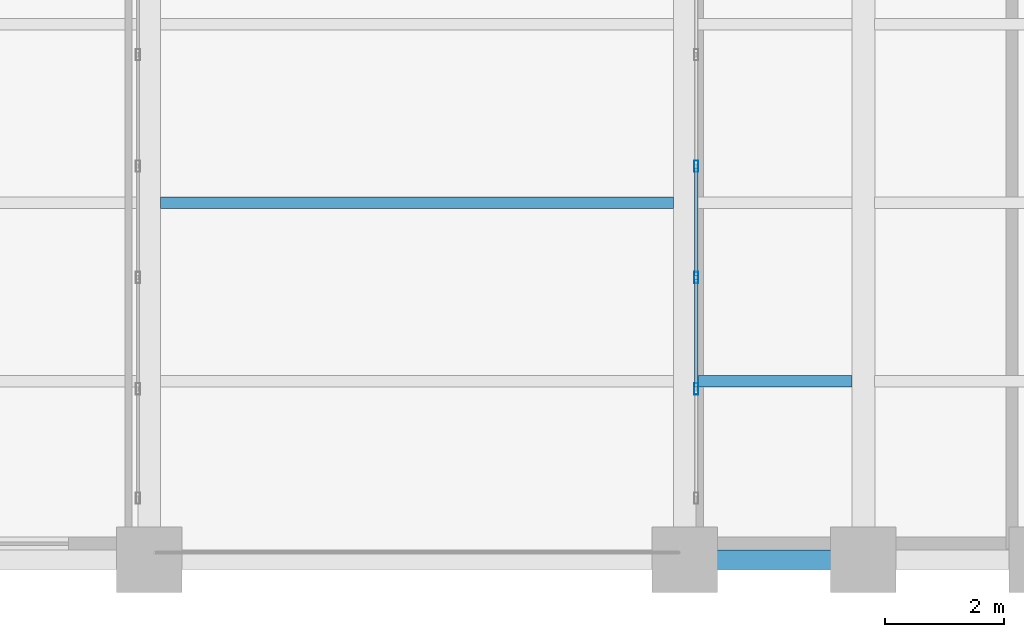
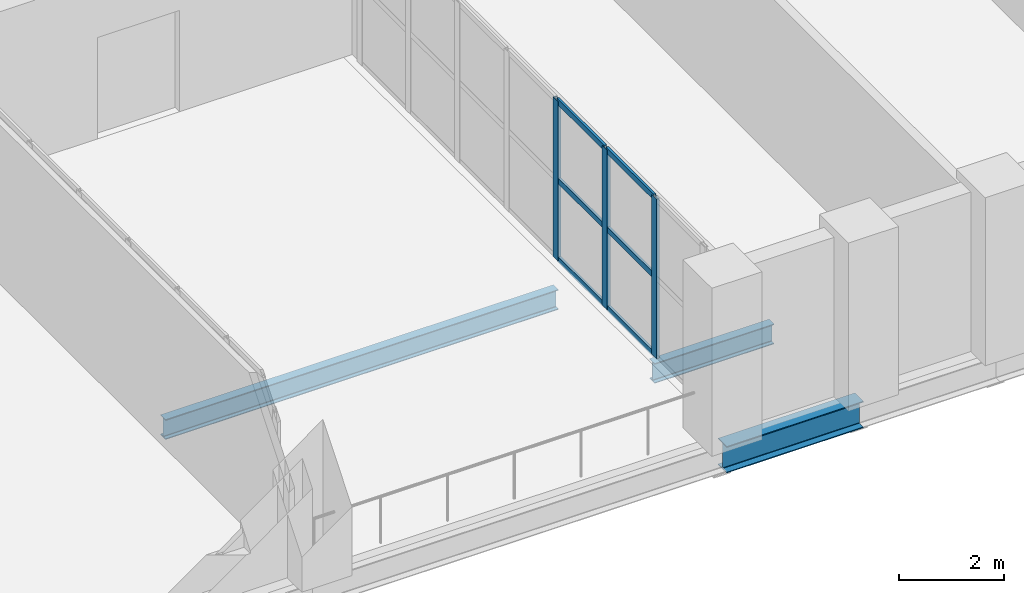
# One storey, part 3 of 12: 9 members, 3 beams, 1 element without a shape of its own.
"""IFC4 building model written with IfcOpenShell, lengths in metres."""

import ifcopenshell
import ifcopenshell.guid

model = None  # the IFC model being written
_history = None  # IfcOwnerHistory: only IFC2X3 demands one
_inside = {}  # id of a spatial element -> (the spatial element, [elements in it])
_under = {}  # id of a project, library or spatial element -> (it, [spatial elements below it])
_declared = {}  # id of a project -> (the project, [libraries it declares])
_typed = {}  # id of a type object -> (the type object, [elements of that type])
_made_of = {}  # id of a material, layer set ... -> (it, [elements and type objects made of it])


def new_model(schema):
    """Start an empty IFC model of exactly this schema.

    Asked for "IFC4X3", IfcOpenShell would pick the latest addendum, in which some entities
    have other attributes; the version numbers below select the first issue.
    IFC2X3 requires an IfcOwnerHistory on every rooted entity: one is made here for all.
    """
    global model, _history
    if schema == "IFC4X3":
        model = ifcopenshell.file(schema_version=(4, 3, 0, 0))
    else:
        model = ifcopenshell.file(schema=schema)
    _inside.clear()
    _under.clear()
    _declared.clear()
    _typed.clear()
    _made_of.clear()
    _history = None
    if model.schema == "IFC2X3":
        org = make("IfcOrganization", Name="unknown")
        user = make(
            "IfcPersonAndOrganization",
            ThePerson=make("IfcPerson", FamilyName="unknown"),
            TheOrganization=org,
        )
        app = make(
            "IfcApplication",
            ApplicationDeveloper=org,
            Version="unknown",
            ApplicationFullName="unknown",
            ApplicationIdentifier="unknown",
        )
        _history = make(
            "IfcOwnerHistory",
            OwningUser=user,
            OwningApplication=app,
            ChangeAction="ADDED",
            CreationDate=0,
        )
    return model


def make(cls, **values):
    """One entity of the class cls with the attributes given. An attribute that is None is left unset."""
    return model.create_entity(
        cls, **{name: value for name, value in values.items() if value is not None}
    )


def rooted(cls, **values):
    """An entity with a GlobalId (a new one), such as an element, a storey or a relation."""
    return make(cls, GlobalId=ifcopenshell.guid.new(), OwnerHistory=_history, **values)


def si_unit(unit_type, name, prefix=None):
    """IfcSIUnit, for example si_unit("LENGTHUNIT", "METRE", prefix="MILLI")."""
    return make("IfcSIUnit", UnitType=unit_type, Prefix=prefix, Name=name)


def assignment(units):
    """IfcUnitAssignment: the units of a project."""
    return None if units is None else make("IfcUnitAssignment", Units=units)


def point(xyz):
    """IfcCartesianPoint."""
    return None if xyz is None else make("IfcCartesianPoint", Coordinates=xyz)


def direction(xyz):
    """IfcDirection."""
    return None if xyz is None else make("IfcDirection", DirectionRatios=xyz)


def frame(location, z_axis=None, x_axis=None):
    """IfcAxis2Placement3D, a coordinate frame: its origin and axes. An axis left out is left unset."""
    return make(
        "IfcAxis2Placement3D",
        Location=point(location),
        Axis=direction(z_axis),
        RefDirection=direction(x_axis),
    )


def frame_2d(location, x_axis=None):
    """IfcAxis2Placement2D, a coordinate frame in the plane: its origin and x axis."""
    return make(
        "IfcAxis2Placement2D", Location=point(location), RefDirection=direction(x_axis)
    )


def origin():
    """The frame at (0, 0, 0) with its axes left unset."""
    return frame((0.0, 0.0, 0.0))


def origin_2d():
    """The frame at (0, 0) in the plane with its x axis left unset."""
    return frame_2d((0.0, 0.0))


def place(relative_to, where):
    """IfcLocalPlacement: puts the frame where relative to a parent placement (None: the world)."""
    return make(
        "IfcLocalPlacement", PlacementRelTo=relative_to, RelativePlacement=where
    )


def context(
    kind, dimensions, precision=None, world=None, true_north=None, identifier=None
):
    """IfcGeometricRepresentationContext, for example the 3D "Model" context."""
    return make(
        "IfcGeometricRepresentationContext",
        ContextIdentifier=identifier,
        ContextType=kind,
        CoordinateSpaceDimension=dimensions,
        Precision=precision,
        WorldCoordinateSystem=world,
        TrueNorth=true_north,
    )


def subcontext(parent, identifier, kind, view, scale=None):
    """IfcGeometricRepresentationSubContext, for example "Body" below "Model"."""
    return make(
        "IfcGeometricRepresentationSubContext",
        ContextIdentifier=identifier,
        ContextType=kind,
        ParentContext=parent,
        TargetScale=scale,
        TargetView=view,
    )


def project(units=None, contexts=None):
    """IfcProject with its units and contexts."""
    return rooted(
        "IfcProject",
        Name="project",
        RepresentationContexts=contexts,
        UnitsInContext=assignment(units),
    )


def spatial(cls, under=None, at=None, **own):
    """A site, building, storey or space (cls), placed at a placement, below another one or the project."""
    s = rooted(cls, ObjectPlacement=at, **own)
    if under is not None:
        _under.setdefault(under.id(), (under, []))[1].append(s)
    return s


def profile(cls, at=None, kind="AREA", **sizes):
    """A parametric profile (cls). Its sizes go by their IFC names, for example OverallWidth=200.0."""
    return make(cls, ProfileType=kind, Position=at, **sizes)


def hollow_rectangle(**sizes):
    """IfcRectangleHollowProfileDef."""
    return profile("IfcRectangleHollowProfileDef", **sizes)


def i_section(**sizes):
    """IfcIShapeProfileDef."""
    return profile("IfcIShapeProfileDef", **sizes)


def extrude(swept, where, along, depth):
    """IfcExtrudedAreaSolid: the profile swept, set in the frame where, extruded along a direction by depth."""
    return make(
        "IfcExtrudedAreaSolid",
        SweptArea=swept,
        Position=where,
        ExtrudedDirection=direction(along),
        Depth=depth,
    )


def shape(context_of_items, identifier, shape_type, items):
    """IfcShapeRepresentation: the items that make up one representation, for example the "Body"."""
    return make(
        "IfcShapeRepresentation",
        ContextOfItems=context_of_items,
        RepresentationIdentifier=identifier,
        RepresentationType=shape_type,
        Items=items,
    )


def material(Name=None, Category=None):
    """IfcMaterial."""
    return make("IfcMaterial", Name=Name, Category=Category)


def layer(
    of_material, thickness, ventilated=None, Name=None, Category=None, Priority=None
):
    """IfcMaterialLayer: one layer of a wall or slab, of a material (None: an air gap)."""
    return make(
        "IfcMaterialLayer",
        Material=of_material,
        LayerThickness=thickness,
        IsVentilated=ventilated,
        Name=Name,
        Category=Category,
        Priority=Priority,
    )


def layer_set(layers, Name=None):
    """IfcMaterialLayerSet."""
    return make("IfcMaterialLayerSet", MaterialLayers=layers, LayerSetName=Name)


def material_profile(
    of_material, cross_section, Name=None, Category=None, Priority=None
):
    """IfcMaterialProfile: a cross section and its material."""
    return make(
        "IfcMaterialProfile",
        Name=Name,
        Material=of_material,
        Profile=cross_section,
        Priority=Priority,
        Category=Category,
    )


def profile_set(profiles, Name=None, composite=None):
    """IfcMaterialProfileSet."""
    return make(
        "IfcMaterialProfileSet",
        Name=Name,
        MaterialProfiles=profiles,
        CompositeProfile=composite,
    )


def made_of(thing, what):
    """Note that an element or type object is made of a material, layer set ...; save() writes the relation."""
    if what is not None:
        _made_of.setdefault(what.id(), (what, []))[1].append(thing)
    return thing


def type_object(cls, material=None, **own):
    """A type object (cls), such as IfcWallType, which elements share."""
    return made_of(rooted(cls, **own), material)


def element(
    cls,
    number,
    at=None,
    inside=None,
    cuts=None,
    type_object=None,
    material=None,
    context=None,
    identifier="Body",
    shape_type=None,
    held_by="IfcProductDefinitionShape",
    body=None,
    shapes=None,
    **own,
):
    """One element of the class cls, such as IfcWall. Its Tag is "e" and its number.

    at: its placement. inside: the storey or other place that contains it. cuts: it is an
    opening in that element (IfcRelVoidsElement). A single representation is given by context,
    identifier, shape_type and body (its items); several are given by shapes. held_by: the class
    of the entity that holds the representations. save() writes the other relations.
    """
    e = rooted(cls, Tag="e%d" % number, ObjectPlacement=at, **own)
    if body is not None:
        shapes = [shape(context, identifier, shape_type, body)]
    if shapes is not None:
        e.Representation = make(held_by, Representations=shapes)
    if inside is not None:
        _inside.setdefault(inside.id(), (inside, []))[1].append(e)
    if cuts is not None:
        rooted(
            "IfcRelVoidsElement", RelatingBuildingElement=cuts, RelatedOpeningElement=e
        )
    if type_object is not None:
        _typed.setdefault(type_object.id(), (type_object, []))[1].append(e)
    return made_of(e, material)


def aggregate(whole, parts):
    """IfcRelAggregates: a whole, such as a stair, and the parts it consists of."""
    return rooted("IfcRelAggregates", RelatingObject=whole, RelatedObjects=parts)


def save(model, path):
    """Write the relations noted so far, then the file.

    IfcRelAggregates (storeys below a building ...), IfcRelContainedInSpatialStructure (elements
    in a storey), IfcRelDefinesByType, IfcRelAssociatesMaterial and IfcRelDeclares: one each for
    every whole, place, type object, material and project.
    """
    for whole, parts in _under.values():
        aggregate(whole, parts)
    for where, things in _inside.values():
        rooted(
            "IfcRelContainedInSpatialStructure",
            RelatedElements=things,
            RelatingStructure=where,
        )
    for kind, things in _typed.values():
        rooted("IfcRelDefinesByType", RelatedObjects=things, RelatingType=kind)
    for what, things in _made_of.values():
        rooted("IfcRelAssociatesMaterial", RelatedObjects=things, RelatingMaterial=what)
    for by, libraries in _declared.values():
        rooted("IfcRelDeclares", RelatingContext=by, RelatedDefinitions=libraries)
    model.write(path)


model = new_model("IFC4")

# Units and contexts
model_context = context("Model", 3, precision=1e-05, world=origin(), true_north=direction((0.0, 1.0)))
body_context = subcontext(model_context, "Body", "Model", "MODEL_VIEW")
ifc_project = project(units=[si_unit("LENGTHUNIT", "METRE"), si_unit("AREAUNIT", "SQUARE_METRE"), si_unit("VOLUMEUNIT", "CUBIC_METRE"), si_unit("PLANEANGLEUNIT", "RADIAN"), si_unit("MASSUNIT", "GRAM", prefix="KILO")], contexts=[model_context])

# Site, building, storey
site_placement = place(None, origin())
site = spatial("IfcSite", under=ifc_project, at=site_placement, CompositionType="ELEMENT")
building_placement = place(site_placement, origin())
building = spatial("IfcBuilding", under=site, at=building_placement, Name="Mawjdan Bourse Tower", CompositionType="ELEMENT")
storey_placement = place(building_placement, frame((0.0, 0.0, 120.60009765625)))
storey = spatial("IfcBuildingStorey", under=building, at=storey_placement, Name="L28", CompositionType="ELEMENT", Elevation=120.60009765625)

# Beams
ifc_material_1 = material(Name="Structural Steel S355", Category="steel")
ifc_material_profile_1 = material_profile(ifc_material_1, i_section(OverallWidth=0.19189453125, OverallDepth=0.462890625, WebThickness=0.010498046875, FlangeThickness=0.017578125, FilletRadius=0.01416015625, at=origin_2d()), Name="W18X60")
ifc_profile_set_1 = profile_set([ifc_material_profile_1], Name="Structural Steel S355")
beam_type_1 = type_object("IfcBeamType", Name="JST-W18X60", PredefinedType="JOIST", material=ifc_profile_set_1)
beam_1_placement = place(storey_placement, frame((51.1884765625, 6.0, -0.431640625), z_axis=(1.0, 0.0, 0.0), x_axis=(0.0, 1.0, 0.0)))
element("IfcBeam", 1, at=beam_1_placement, inside=storey, type_object=beam_type_1, Name="L28 East Wing Composite Joist 026", PredefinedType="JOIST", context=body_context, shape_type="SweptSolid", body=[
    extrude(i_section(OverallWidth=0.19189453125, OverallDepth=0.462890625, WebThickness=0.010498046875, FlangeThickness=0.017578125, FilletRadius=0.01416015625, at=origin_2d()), origin(), (0.0, 0.0, 1.0), 2.623046875),
])
beam_2_placement = place(storey_placement, frame((42.1884765625, 9.0, -0.401611328125), z_axis=(1.0, 0.0, 0.0), x_axis=(0.0, 1.0, 0.0)))
element("IfcBeam", 2, at=beam_2_placement, inside=storey, type_object=beam_type_1, Name="L28 L28 Portal Sky Deck Joist 031", PredefinedType="JOIST", context=body_context, shape_type="SweptSolid", body=[
    extrude(i_section(OverallWidth=0.19189453125, OverallDepth=0.462890625, WebThickness=0.010498046875, FlangeThickness=0.017578125, FilletRadius=0.01416015625, at=origin_2d()), origin(), (0.0, 0.0, 1.0), 8.623046875),
])

# Curtain wall, members
ifc_material_2 = material(Name="Thermally Broken Aluminium and Solar Glass", Category="aluminium")
ifc_layer = layer(ifc_material_2, 0.219970703125)
ifc_layer_set = layer_set([ifc_layer], Name="Thermally Broken Aluminium and Solar Glass")
curtain_wall_type = type_object("IfcCurtainWallType", Name="CW-POR", PredefinedType="USERDEFINED", material=ifc_layer_set)
curtain_wall_placement = place(storey_placement, origin())
curtain_wall = element("IfcCurtainWall", 3, at=curtain_wall_placement, inside=storey, type_object=curtain_wall_type, Name="L28 East Void Portal Glazed Cheek 3", ObjectType="VOID PORTAL CURTAIN WALL", PredefinedType="USERDEFINED")
ifc_material_3 = material(Name="Thermally Broken Anodised Aluminium", Category="aluminium")
ifc_material_profile_2 = material_profile(ifc_material_3, hollow_rectangle(XDim=0.070068359375, YDim=0.18994140625, WallThickness=0.00439453125, at=origin_2d()), Name="ALU-MUL-190X70")
ifc_profile_set_2 = profile_set([ifc_material_profile_2], Name="Thermally Broken Anodised Aluminium")
member_type_1 = type_object("IfcMemberType", Name="MUL-ALU-MUL-190X70", PredefinedType="MULLION", material=ifc_profile_set_2)
member_1_placement = place(storey_placement, frame((51.18994140625, 9.6142578125, 0.0), z_axis=(0.0, 0.0, 1.0), x_axis=(1.0, 0.0, 0.0)))
member_1 = element("IfcMember", 4, at=member_1_placement, type_object=member_type_1, Name="CW-POR-L28-POR-E3 mullion 5", PredefinedType="MULLION", context=body_context, shape_type="SweptSolid", body=[
    extrude(hollow_rectangle(XDim=0.070068359375, YDim=0.18994140625, WallThickness=0.00439453125, at=origin_2d()), origin(), (0.0, 0.0, 1.0), 3.699951171875),
])
member_2_placement = place(storey_placement, frame((51.18994140625, 7.742919921875, 0.0), z_axis=(0.0, 0.0, 1.0), x_axis=(1.0, 0.0, 0.0)))
member_2 = element("IfcMember", 5, at=member_2_placement, type_object=member_type_1, Name="CW-POR-L28-POR-E3 mullion 6", PredefinedType="MULLION", context=body_context, shape_type="SweptSolid", body=[
    extrude(hollow_rectangle(XDim=0.070068359375, YDim=0.18994140625, WallThickness=0.00439453125, at=origin_2d()), origin(), (0.0, 0.0, 1.0), 3.699951171875),
])
member_3_placement = place(storey_placement, frame((51.18994140625, 5.871337890625, 0.0), z_axis=(0.0, 0.0, 1.0), x_axis=(1.0, 0.0, 0.0)))
member_3 = element("IfcMember", 6, at=member_3_placement, type_object=member_type_1, Name="CW-POR-L28-POR-E3 mullion 7", PredefinedType="MULLION", context=body_context, shape_type="SweptSolid", body=[
    extrude(hollow_rectangle(XDim=0.070068359375, YDim=0.18994140625, WallThickness=0.00439453125, at=origin_2d()), origin(), (0.0, 0.0, 1.0), 3.699951171875),
])

# Beam
ifc_material_profile_3 = material_profile(ifc_material_1, i_section(OverallWidth=0.324951171875, OverallDepth=0.616943359375, WebThickness=0.013916015625, FlangeThickness=0.021484375, FilletRadius=0.017333984375, at=origin_2d()), Name="W24X117")
ifc_profile_set_3 = profile_set([ifc_material_profile_3], Name="Structural Steel S355")
beam_type_2 = type_object("IfcBeamType", Name="SPN-W24X117", PredefinedType="SPANDREL", material=ifc_profile_set_3)
beam_3_placement = place(storey_placement, frame((51.0, 3.0, -0.508544921875), z_axis=(1.0, 0.0, 0.0), x_axis=(0.0, 1.0, 0.0)))
element("IfcBeam", 7, at=beam_3_placement, inside=storey, type_object=beam_type_2, Name="L28 Perimeter Masonry-Shelf Spandrel 013", PredefinedType="SPANDREL", context=body_context, shape_type="SweptSolid", body=[
    extrude(i_section(OverallWidth=0.324951171875, OverallDepth=0.616943359375, WebThickness=0.013916015625, FlangeThickness=0.021484375, FilletRadius=0.017333984375, at=origin_2d()), origin(), (0.0, 0.0, 1.0), 3.0),
])

# Member
ifc_material_profile_4 = material_profile(ifc_material_3, hollow_rectangle(XDim=0.054931640625, YDim=0.1298828125, WallThickness=0.00341796875, at=origin_2d()), Name="ALU-TRN-130X55")
ifc_profile_set_4 = profile_set([ifc_material_profile_4], Name="Thermally Broken Anodised Aluminium")
member_type_2 = type_object("IfcMemberType", Name="TRN-ALU-TRN-130X55", PredefinedType="USERDEFINED", material=ifc_profile_set_4)
member_4_placement = place(storey_placement, frame((51.18994140625, 9.579345703125, 0.02734375), z_axis=(0.0, -1.0, 0.0), x_axis=(1.0, 0.0, 0.0)))
member_4 = element("IfcMember", 8, at=member_4_placement, type_object=member_type_2, Name="CW-POR-L28-POR-E3 transom 5.1", ObjectType="TRANSOM", PredefinedType="USERDEFINED", context=body_context, shape_type="SweptSolid", body=[
    extrude(hollow_rectangle(XDim=0.054931640625, YDim=0.1298828125, WallThickness=0.00341796875, at=origin_2d()), origin(), (0.0, 0.0, 1.0), 1.801513671875),
])

member_5_placement = place(storey_placement, frame((51.18994140625, 9.579345703125, 1.849853515625), z_axis=(0.0, -1.0, 0.0), x_axis=(1.0, 0.0, 0.0)))
member_5 = element("IfcMember", 9, at=member_5_placement, type_object=member_type_2, Name="CW-POR-L28-POR-E3 transom 5.2", ObjectType="TRANSOM", PredefinedType="USERDEFINED", context=body_context, shape_type="SweptSolid", body=[
    extrude(hollow_rectangle(XDim=0.054931640625, YDim=0.1298828125, WallThickness=0.00341796875, at=origin_2d()), origin(), (0.0, 0.0, 1.0), 1.801513671875),
])

member_6_placement = place(storey_placement, frame((51.18994140625, 9.579345703125, 3.67236328125), z_axis=(0.0, -1.0, 0.0), x_axis=(1.0, 0.0, 0.0)))
member_6 = element("IfcMember", 10, at=member_6_placement, type_object=member_type_2, Name="CW-POR-L28-POR-E3 transom 5.3", ObjectType="TRANSOM", PredefinedType="USERDEFINED", context=body_context, shape_type="SweptSolid", body=[
    extrude(hollow_rectangle(XDim=0.054931640625, YDim=0.1298828125, WallThickness=0.00341796875, at=origin_2d()), origin(), (0.0, 0.0, 1.0), 1.801513671875),
])

member_7_placement = place(storey_placement, frame((51.18994140625, 7.707763671875, 0.02734375), z_axis=(0.0, -1.0, 0.0), x_axis=(1.0, 0.0, 0.0)))
member_7 = element("IfcMember", 11, at=member_7_placement, type_object=member_type_2, Name="CW-POR-L28-POR-E3 transom 6.1", ObjectType="TRANSOM", PredefinedType="USERDEFINED", context=body_context, shape_type="SweptSolid", body=[
    extrude(hollow_rectangle(XDim=0.054931640625, YDim=0.1298828125, WallThickness=0.00341796875, at=origin_2d()), origin(), (0.0, 0.0, 1.0), 1.80126953125),
])

member_8_placement = place(storey_placement, frame((51.18994140625, 7.707763671875, 1.849853515625), z_axis=(0.0, -1.0, 0.0), x_axis=(1.0, 0.0, 0.0)))
member_8 = element("IfcMember", 12, at=member_8_placement, type_object=member_type_2, Name="CW-POR-L28-POR-E3 transom 6.2", ObjectType="TRANSOM", PredefinedType="USERDEFINED", context=body_context, shape_type="SweptSolid", body=[
    extrude(hollow_rectangle(XDim=0.054931640625, YDim=0.1298828125, WallThickness=0.00341796875, at=origin_2d()), origin(), (0.0, 0.0, 1.0), 1.80126953125),
])

member_9_placement = place(storey_placement, frame((51.18994140625, 7.707763671875, 3.67236328125), z_axis=(0.0, -1.0, 0.0), x_axis=(1.0, 0.0, 0.0)))
member_9 = element("IfcMember", 13, at=member_9_placement, type_object=member_type_2, Name="CW-POR-L28-POR-E3 transom 6.3", ObjectType="TRANSOM", PredefinedType="USERDEFINED", context=body_context, shape_type="SweptSolid", body=[
    extrude(hollow_rectangle(XDim=0.054931640625, YDim=0.1298828125, WallThickness=0.00341796875, at=origin_2d()), origin(), (0.0, 0.0, 1.0), 1.80126953125),
])

aggregate(curtain_wall, [member_1, member_2, member_3, member_4, member_5, member_6, member_7, member_8, member_9])

save(model, "model.ifc")
